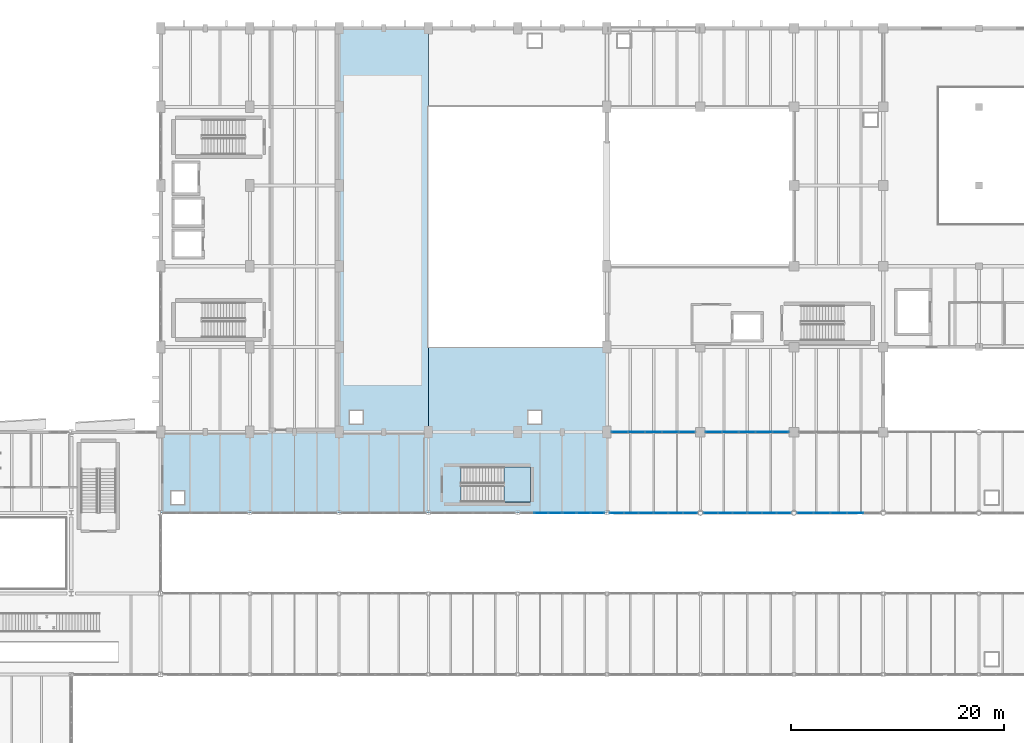
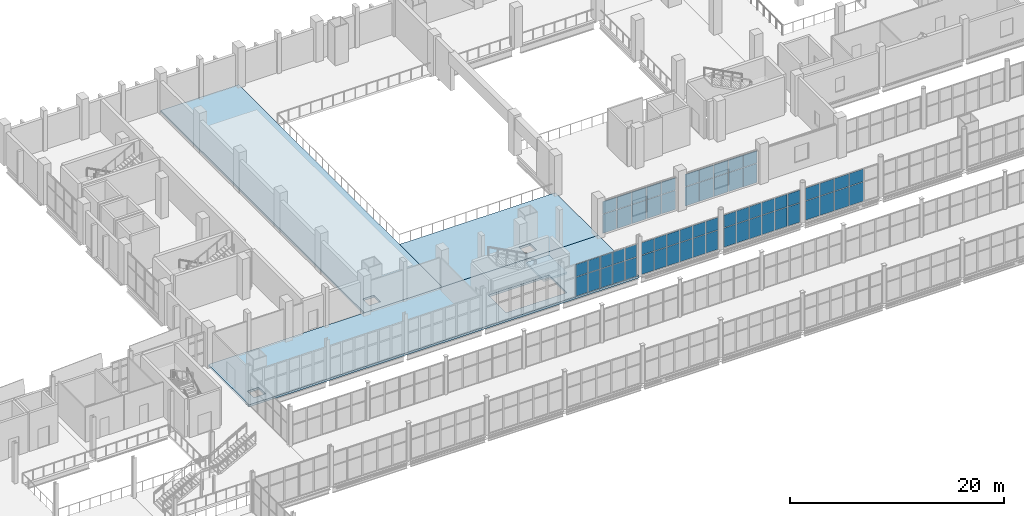
# One storey, part 135 of 172: 62 plates, 4 slabs, 8 elements without a shape of their own.
"""IFC4 building model written with IfcOpenShell, lengths in metres."""

from ifc_helpers import new_model, si_unit, direction, frame, origin, origin_2d, place, context, subcontext, project, spatial, polyline, rectangle, outline, extrude, material, layer, layer_set, type_object, element, aggregate, save


model = new_model("IFC4")

# Units and contexts
model_context = context("Model", 3, precision=1e-05, world=origin(), true_north=direction((0.0, 1.0)))
body_context = subcontext(model_context, "Body", "Model", "MODEL_VIEW")
ifc_project = project(units=[si_unit("LENGTHUNIT", "METRE"), si_unit("AREAUNIT", "SQUARE_METRE"), si_unit("VOLUMEUNIT", "CUBIC_METRE"), si_unit("PLANEANGLEUNIT", "RADIAN"), si_unit("MASSUNIT", "GRAM", prefix="KILO")], contexts=[model_context])

# Site, building, storey
site_placement = place(None, origin())
site = spatial("IfcSite", under=ifc_project, at=site_placement, CompositionType="ELEMENT")
building_placement = place(site_placement, origin())
building = spatial("IfcBuilding", under=site, at=building_placement, Name="Shengluoqiao Park Theatre", CompositionType="ELEMENT")
storey_placement = place(building_placement, frame((0.0, 0.0, 5.39990234375)))
storey = spatial("IfcBuildingStorey", under=building, at=storey_placement, Name="L01", CompositionType="ELEMENT", Elevation=5.39990234375)

# Curtain wall, plates
ifc_material_1 = material(Name="Aluminium 6063-T6", Category="aluminium")
curtain_wall_type_1 = type_object("IfcCurtainWallType", Name="ENV-CW-PROM", PredefinedType="NOTDEFINED", material=ifc_material_1)
curtain_wall_1_placement = place(storey_placement, origin())
curtain_wall_1 = element("IfcCurtainWall", 1, at=curtain_wall_1_placement, inside=storey, type_object=curtain_wall_type_1, Name="L01 Curtain Wall CW-L01-0059", PredefinedType="NOTDEFINED")
ifc_material_2 = material(Name="Insulated glass", Category="glass")
ifc_layer_1 = layer(ifc_material_2, 0.0380859375, Name="Insulated glass")
ifc_layer_set_1 = layer_set([ifc_layer_1], Name="Insulated glass")
plate_type = type_object("IfcPlateType", Name="ENV-GLZ-GL-38", PredefinedType="CURTAIN_PANEL", material=ifc_layer_set_1)
plate_1_placement = place(storey_placement, frame((80.201904296875, 68.39990234375, 0.065185546875), z_axis=(0.0, 0.0, 1.0), x_axis=(1.0, 0.0, 0.0)))
plate_1 = element("IfcPlate", 2, at=plate_1_placement, type_object=plate_type, Name="CW-04 panel 2.1", PredefinedType="CURTAIN_PANEL", context=body_context, shape_type="SweptSolid", body=[
    extrude(rectangle(XDim=1.26708984375, YDim=0.0380859375, at=origin_2d()), origin(), (0.0, 0.0, 1.0), 2.1474609375),
])
plate_2_placement = place(storey_placement, frame((80.201904296875, 68.39990234375, 2.277587890625), z_axis=(0.0, 0.0, 1.0), x_axis=(1.0, 0.0, 0.0)))
plate_2 = element("IfcPlate", 3, at=plate_2_placement, type_object=plate_type, Name="CW-04 panel 2.2", PredefinedType="CURTAIN_PANEL", context=body_context, shape_type="SweptSolid", body=[
    extrude(rectangle(XDim=1.26708984375, YDim=0.0380859375, at=origin_2d()), origin(), (0.0, 0.0, 1.0), 1.3994140625),
])
plate_3_placement = place(storey_placement, frame((81.517822265625, 68.39990234375, 0.065185546875), z_axis=(0.0, 0.0, 1.0), x_axis=(1.0, 0.0, 0.0)))
plate_3 = element("IfcPlate", 4, at=plate_3_placement, type_object=plate_type, Name="CW-04 panel 3.1", PredefinedType="CURTAIN_PANEL", context=body_context, shape_type="SweptSolid", body=[
    extrude(rectangle(XDim=1.234619140625, YDim=0.0380859375, at=origin_2d()), origin(), (0.0, 0.0, 1.0), 2.1474609375),
])
plate_4_placement = place(storey_placement, frame((81.517822265625, 68.39990234375, 2.277587890625), z_axis=(0.0, 0.0, 1.0), x_axis=(1.0, 0.0, 0.0)))
plate_4 = element("IfcPlate", 5, at=plate_4_placement, type_object=plate_type, Name="CW-04 panel 3.2", PredefinedType="CURTAIN_PANEL", context=body_context, shape_type="SweptSolid", body=[
    extrude(rectangle(XDim=1.234619140625, YDim=0.0380859375, at=origin_2d()), origin(), (0.0, 0.0, 1.0), 1.3994140625),
])
aggregate(curtain_wall_1, [plate_1, plate_2, plate_3, plate_4])

curtain_wall_2_placement = place(storey_placement, origin())
curtain_wall_2 = element("IfcCurtainWall", 6, at=curtain_wall_2_placement, inside=storey, type_object=curtain_wall_type_1, Name="L01 Curtain Wall CW-L01-0060", PredefinedType="NOTDEFINED")
plate_5_placement = place(storey_placement, frame((82.88232421875, 68.39990234375, 0.065185546875), z_axis=(0.0, 0.0, 1.0), x_axis=(1.0, 0.0, 0.0)))
plate_5 = element("IfcPlate", 7, at=plate_5_placement, type_object=plate_type, Name="CW-04 panel 1.1", PredefinedType="CURTAIN_PANEL", context=body_context, shape_type="SweptSolid", body=[
    extrude(rectangle(XDim=1.234619140625, YDim=0.0380859375, at=origin_2d()), origin(), (0.0, 0.0, 1.0), 2.1474609375),
])
plate_6_placement = place(storey_placement, frame((82.88232421875, 68.39990234375, 2.277587890625), z_axis=(0.0, 0.0, 1.0), x_axis=(1.0, 0.0, 0.0)))
plate_6 = element("IfcPlate", 8, at=plate_6_placement, type_object=plate_type, Name="CW-04 panel 1.2", PredefinedType="CURTAIN_PANEL", context=body_context, shape_type="SweptSolid", body=[
    extrude(rectangle(XDim=1.234619140625, YDim=0.0380859375, at=origin_2d()), origin(), (0.0, 0.0, 1.0), 1.3994140625),
])
plate_7_placement = place(storey_placement, frame((84.197998046875, 68.39990234375, 0.065185546875), z_axis=(0.0, 0.0, 1.0), x_axis=(1.0, 0.0, 0.0)))
plate_7 = element("IfcPlate", 9, at=plate_7_placement, type_object=plate_type, Name="CW-04 panel 2.1", PredefinedType="CURTAIN_PANEL", context=body_context, shape_type="SweptSolid", body=[
    extrude(rectangle(XDim=1.26708984375, YDim=0.0380859375, at=origin_2d()), origin(), (0.0, 0.0, 1.0), 2.1474609375),
])
plate_8_placement = place(storey_placement, frame((84.197998046875, 68.39990234375, 2.277587890625), z_axis=(0.0, 0.0, 1.0), x_axis=(1.0, 0.0, 0.0)))
plate_8 = element("IfcPlate", 10, at=plate_8_placement, type_object=plate_type, Name="CW-04 panel 2.2", PredefinedType="CURTAIN_PANEL", context=body_context, shape_type="SweptSolid", body=[
    extrude(rectangle(XDim=1.26708984375, YDim=0.0380859375, at=origin_2d()), origin(), (0.0, 0.0, 1.0), 1.3994140625),
])
plate_9_placement = place(storey_placement, frame((85.513671875, 68.39990234375, 0.065185546875), z_axis=(0.0, 0.0, 1.0), x_axis=(1.0, 0.0, 0.0)))
plate_9 = element("IfcPlate", 11, at=plate_9_placement, type_object=plate_type, Name="CW-04 panel 3.1", PredefinedType="CURTAIN_PANEL", context=body_context, shape_type="SweptSolid", body=[
    extrude(rectangle(XDim=1.234619140625, YDim=0.0380859375, at=origin_2d()), origin(), (0.0, 0.0, 1.0), 2.1474609375),
])
plate_10_placement = place(storey_placement, frame((85.513671875, 68.39990234375, 2.277587890625), z_axis=(0.0, 0.0, 1.0), x_axis=(1.0, 0.0, 0.0)))
plate_10 = element("IfcPlate", 12, at=plate_10_placement, type_object=plate_type, Name="CW-04 panel 3.2", PredefinedType="CURTAIN_PANEL", context=body_context, shape_type="SweptSolid", body=[
    extrude(rectangle(XDim=1.234619140625, YDim=0.0380859375, at=origin_2d()), origin(), (0.0, 0.0, 1.0), 1.3994140625),
])
aggregate(curtain_wall_2, [plate_5, plate_6, plate_7, plate_8, plate_9, plate_10])

curtain_wall_type_2 = type_object("IfcCurtainWallType", Name="ENV-CW-BRIDGE", PredefinedType="NOTDEFINED", material=ifc_material_1)
curtain_wall_3_placement = place(storey_placement, origin())
curtain_wall_3 = element("IfcCurtainWall", 13, at=curtain_wall_3_placement, inside=storey, type_object=curtain_wall_type_2, Name="L01 Curtain Wall CWX-L01-0091", PredefinedType="NOTDEFINED")
plate_11_placement = place(storey_placement, frame((87.313720703125, 68.39990234375, 0.06005859375), z_axis=(0.0, 0.0, 1.0), x_axis=(1.0, 0.0, 0.0)))
plate_11 = element("IfcPlate", 14, at=plate_11_placement, type_object=plate_type, Name="CW-03 panel 1.1", PredefinedType="CURTAIN_PANEL", context=body_context, shape_type="SweptSolid", body=[
    extrude(rectangle(XDim=1.299560546875, YDim=0.0380859375, at=origin_2d()), origin(), (0.0, 0.0, 1.0), 2.155029296875),
])
plate_12_placement = place(storey_placement, frame((87.313720703125, 68.39990234375, 2.27490234375), z_axis=(0.0, 0.0, 1.0), x_axis=(1.0, 0.0, 0.0)))
plate_12 = element("IfcPlate", 15, at=plate_12_placement, type_object=plate_type, Name="CW-03 panel 1.2", PredefinedType="CURTAIN_PANEL", context=body_context, shape_type="SweptSolid", body=[
    extrude(rectangle(XDim=1.299560546875, YDim=0.0380859375, at=origin_2d()), origin(), (0.0, 0.0, 1.0), 1.406982421875),
])
plate_13_placement = place(storey_placement, frame((88.6884765625, 68.39990234375, 0.06005859375), z_axis=(0.0, 0.0, 1.0), x_axis=(1.0, 0.0, 0.0)))
plate_13 = element("IfcPlate", 16, at=plate_13_placement, type_object=plate_type, Name="CW-03 panel 2.1", PredefinedType="CURTAIN_PANEL", context=body_context, shape_type="SweptSolid", body=[
    extrude(rectangle(XDim=1.32958984375, YDim=0.0380859375, at=origin_2d()), origin(), (0.0, 0.0, 1.0), 2.155029296875),
])
plate_14_placement = place(storey_placement, frame((88.6884765625, 68.39990234375, 2.27490234375), z_axis=(0.0, 0.0, 1.0), x_axis=(1.0, 0.0, 0.0)))
plate_14 = element("IfcPlate", 17, at=plate_14_placement, type_object=plate_type, Name="CW-03 panel 2.2", PredefinedType="CURTAIN_PANEL", context=body_context, shape_type="SweptSolid", body=[
    extrude(rectangle(XDim=1.32958984375, YDim=0.0380859375, at=origin_2d()), origin(), (0.0, 0.0, 1.0), 1.406982421875),
])
plate_15_placement = place(storey_placement, frame((90.078125, 68.39990234375, 0.06005859375), z_axis=(0.0, 0.0, 1.0), x_axis=(1.0, 0.0, 0.0)))
plate_15 = element("IfcPlate", 18, at=plate_15_placement, type_object=plate_type, Name="CW-03 panel 3.1", PredefinedType="CURTAIN_PANEL", context=body_context, shape_type="SweptSolid", body=[
    extrude(rectangle(XDim=1.32958984375, YDim=0.0380859375, at=origin_2d()), origin(), (0.0, 0.0, 1.0), 2.155029296875),
])
plate_16_placement = place(storey_placement, frame((90.078125, 68.39990234375, 2.27490234375), z_axis=(0.0, 0.0, 1.0), x_axis=(1.0, 0.0, 0.0)))
plate_16 = element("IfcPlate", 19, at=plate_16_placement, type_object=plate_type, Name="CW-03 panel 3.2", PredefinedType="CURTAIN_PANEL", context=body_context, shape_type="SweptSolid", body=[
    extrude(rectangle(XDim=1.32958984375, YDim=0.0380859375, at=origin_2d()), origin(), (0.0, 0.0, 1.0), 1.406982421875),
])
plate_17_placement = place(storey_placement, frame((91.4677734375, 68.39990234375, 0.06005859375), z_axis=(0.0, 0.0, 1.0), x_axis=(1.0, 0.0, 0.0)))
plate_17 = element("IfcPlate", 20, at=plate_17_placement, type_object=plate_type, Name="CW-03 panel 4.1", PredefinedType="CURTAIN_PANEL", context=body_context, shape_type="SweptSolid", body=[
    extrude(rectangle(XDim=1.32958984375, YDim=0.0380859375, at=origin_2d()), origin(), (0.0, 0.0, 1.0), 2.155029296875),
])
plate_18_placement = place(storey_placement, frame((91.4677734375, 68.39990234375, 2.27490234375), z_axis=(0.0, 0.0, 1.0), x_axis=(1.0, 0.0, 0.0)))
plate_18 = element("IfcPlate", 21, at=plate_18_placement, type_object=plate_type, Name="CW-03 panel 4.2", PredefinedType="CURTAIN_PANEL", context=body_context, shape_type="SweptSolid", body=[
    extrude(rectangle(XDim=1.32958984375, YDim=0.0380859375, at=origin_2d()), origin(), (0.0, 0.0, 1.0), 1.406982421875),
])
plate_19_placement = place(storey_placement, frame((92.857421875, 68.39990234375, 0.06005859375), z_axis=(0.0, 0.0, 1.0), x_axis=(1.0, 0.0, 0.0)))
plate_19 = element("IfcPlate", 22, at=plate_19_placement, type_object=plate_type, Name="CW-03 panel 5.1", PredefinedType="CURTAIN_PANEL", context=body_context, shape_type="SweptSolid", body=[
    extrude(rectangle(XDim=1.32958984375, YDim=0.0380859375, at=origin_2d()), origin(), (0.0, 0.0, 1.0), 2.155029296875),
])
plate_20_placement = place(storey_placement, frame((92.857421875, 68.39990234375, 2.27490234375), z_axis=(0.0, 0.0, 1.0), x_axis=(1.0, 0.0, 0.0)))
plate_20 = element("IfcPlate", 23, at=plate_20_placement, type_object=plate_type, Name="CW-03 panel 5.2", PredefinedType="CURTAIN_PANEL", context=body_context, shape_type="SweptSolid", body=[
    extrude(rectangle(XDim=1.32958984375, YDim=0.0380859375, at=origin_2d()), origin(), (0.0, 0.0, 1.0), 1.406982421875),
])
plate_21_placement = place(storey_placement, frame((94.232177734375, 68.39990234375, 0.06005859375), z_axis=(0.0, 0.0, 1.0), x_axis=(1.0, 0.0, 0.0)))
plate_21 = element("IfcPlate", 24, at=plate_21_placement, type_object=plate_type, Name="CW-03 panel 6.1", PredefinedType="CURTAIN_PANEL", context=body_context, shape_type="SweptSolid", body=[
    extrude(rectangle(XDim=1.299560546875, YDim=0.0380859375, at=origin_2d()), origin(), (0.0, 0.0, 1.0), 2.155029296875),
])
plate_22_placement = place(storey_placement, frame((94.232177734375, 68.39990234375, 2.27490234375), z_axis=(0.0, 0.0, 1.0), x_axis=(1.0, 0.0, 0.0)))
plate_22 = element("IfcPlate", 25, at=plate_22_placement, type_object=plate_type, Name="CW-03 panel 6.2", PredefinedType="CURTAIN_PANEL", context=body_context, shape_type="SweptSolid", body=[
    extrude(rectangle(XDim=1.299560546875, YDim=0.0380859375, at=origin_2d()), origin(), (0.0, 0.0, 1.0), 1.406982421875),
])
aggregate(curtain_wall_3, [plate_11, plate_12, plate_13, plate_14, plate_15, plate_16, plate_17, plate_18, plate_19, plate_20, plate_21, plate_22])

curtain_wall_4_placement = place(storey_placement, origin())
curtain_wall_4 = element("IfcCurtainWall", 26, at=curtain_wall_4_placement, inside=storey, type_object=curtain_wall_type_2, Name="L01 Curtain Wall CWX-L01-0092", PredefinedType="NOTDEFINED")
plate_23_placement = place(storey_placement, frame((96.163330078125, 68.39990234375, 0.06005859375), z_axis=(0.0, 0.0, 1.0), x_axis=(1.0, 0.0, 0.0)))
plate_23 = element("IfcPlate", 27, at=plate_23_placement, type_object=plate_type, Name="CW-03 panel 1.1", PredefinedType="CURTAIN_PANEL", context=body_context, shape_type="SweptSolid", body=[
    extrude(rectangle(XDim=1.290771484375, YDim=0.0380859375, at=origin_2d()), origin(), (0.0, 0.0, 1.0), 2.173095703125),
])
plate_24_placement = place(storey_placement, frame((96.163330078125, 68.39990234375, 2.293212890625), z_axis=(0.0, 0.0, 1.0), x_axis=(1.0, 0.0, 0.0)))
plate_24 = element("IfcPlate", 28, at=plate_24_placement, type_object=plate_type, Name="CW-03 panel 1.2", PredefinedType="CURTAIN_PANEL", context=body_context, shape_type="SweptSolid", body=[
    extrude(rectangle(XDim=1.290771484375, YDim=0.0380859375, at=origin_2d()), origin(), (0.0, 0.0, 1.0), 1.4189453125),
])
plate_25_placement = place(storey_placement, frame((97.529052734375, 68.39990234375, 0.06005859375), z_axis=(0.0, 0.0, 1.0), x_axis=(1.0, 0.0, 0.0)))
plate_25 = element("IfcPlate", 29, at=plate_25_placement, type_object=plate_type, Name="CW-03 panel 2.1", PredefinedType="CURTAIN_PANEL", context=body_context, shape_type="SweptSolid", body=[
    extrude(rectangle(XDim=1.320556640625, YDim=0.0380859375, at=origin_2d()), origin(), (0.0, 0.0, 1.0), 2.173095703125),
])
plate_26_placement = place(storey_placement, frame((97.529052734375, 68.39990234375, 2.293212890625), z_axis=(0.0, 0.0, 1.0), x_axis=(1.0, 0.0, 0.0)))
plate_26 = element("IfcPlate", 30, at=plate_26_placement, type_object=plate_type, Name="CW-03 panel 2.2", PredefinedType="CURTAIN_PANEL", context=body_context, shape_type="SweptSolid", body=[
    extrude(rectangle(XDim=1.320556640625, YDim=0.0380859375, at=origin_2d()), origin(), (0.0, 0.0, 1.0), 1.4189453125),
])
plate_27_placement = place(storey_placement, frame((98.90966796875, 68.39990234375, 0.06005859375), z_axis=(0.0, 0.0, 1.0), x_axis=(1.0, 0.0, 0.0)))
plate_27 = element("IfcPlate", 31, at=plate_27_placement, type_object=plate_type, Name="CW-03 panel 3.1", PredefinedType="CURTAIN_PANEL", context=body_context, shape_type="SweptSolid", body=[
    extrude(rectangle(XDim=1.320556640625, YDim=0.0380859375, at=origin_2d()), origin(), (0.0, 0.0, 1.0), 2.173095703125),
])
plate_28_placement = place(storey_placement, frame((98.90966796875, 68.39990234375, 2.293212890625), z_axis=(0.0, 0.0, 1.0), x_axis=(1.0, 0.0, 0.0)))
plate_28 = element("IfcPlate", 32, at=plate_28_placement, type_object=plate_type, Name="CW-03 panel 3.2", PredefinedType="CURTAIN_PANEL", context=body_context, shape_type="SweptSolid", body=[
    extrude(rectangle(XDim=1.320556640625, YDim=0.0380859375, at=origin_2d()), origin(), (0.0, 0.0, 1.0), 1.4189453125),
])
plate_29_placement = place(storey_placement, frame((100.290283203125, 68.39990234375, 0.06005859375), z_axis=(0.0, 0.0, 1.0), x_axis=(1.0, 0.0, 0.0)))
plate_29 = element("IfcPlate", 33, at=plate_29_placement, type_object=plate_type, Name="CW-03 panel 4.1", PredefinedType="CURTAIN_PANEL", context=body_context, shape_type="SweptSolid", body=[
    extrude(rectangle(XDim=1.320556640625, YDim=0.0380859375, at=origin_2d()), origin(), (0.0, 0.0, 1.0), 2.173095703125),
])
plate_30_placement = place(storey_placement, frame((100.290283203125, 68.39990234375, 2.293212890625), z_axis=(0.0, 0.0, 1.0), x_axis=(1.0, 0.0, 0.0)))
plate_30 = element("IfcPlate", 34, at=plate_30_placement, type_object=plate_type, Name="CW-03 panel 4.2", PredefinedType="CURTAIN_PANEL", context=body_context, shape_type="SweptSolid", body=[
    extrude(rectangle(XDim=1.320556640625, YDim=0.0380859375, at=origin_2d()), origin(), (0.0, 0.0, 1.0), 1.4189453125),
])
plate_31_placement = place(storey_placement, frame((101.6708984375, 68.39990234375, 0.06005859375), z_axis=(0.0, 0.0, 1.0), x_axis=(1.0, 0.0, 0.0)))
plate_31 = element("IfcPlate", 35, at=plate_31_placement, type_object=plate_type, Name="CW-03 panel 5.1", PredefinedType="CURTAIN_PANEL", context=body_context, shape_type="SweptSolid", body=[
    extrude(rectangle(XDim=1.320556640625, YDim=0.0380859375, at=origin_2d()), origin(), (0.0, 0.0, 1.0), 2.173095703125),
])
plate_32_placement = place(storey_placement, frame((101.6708984375, 68.39990234375, 2.293212890625), z_axis=(0.0, 0.0, 1.0), x_axis=(1.0, 0.0, 0.0)))
plate_32 = element("IfcPlate", 36, at=plate_32_placement, type_object=plate_type, Name="CW-03 panel 5.2", PredefinedType="CURTAIN_PANEL", context=body_context, shape_type="SweptSolid", body=[
    extrude(rectangle(XDim=1.320556640625, YDim=0.0380859375, at=origin_2d()), origin(), (0.0, 0.0, 1.0), 1.4189453125),
])
plate_33_placement = place(storey_placement, frame((103.03662109375, 68.39990234375, 0.06005859375), z_axis=(0.0, 0.0, 1.0), x_axis=(1.0, 0.0, 0.0)))
plate_33 = element("IfcPlate", 37, at=plate_33_placement, type_object=plate_type, Name="CW-03 panel 6.1", PredefinedType="CURTAIN_PANEL", context=body_context, shape_type="SweptSolid", body=[
    extrude(rectangle(XDim=1.290771484375, YDim=0.0380859375, at=origin_2d()), origin(), (0.0, 0.0, 1.0), 2.173095703125),
])
plate_34_placement = place(storey_placement, frame((103.03662109375, 68.39990234375, 2.293212890625), z_axis=(0.0, 0.0, 1.0), x_axis=(1.0, 0.0, 0.0)))
plate_34 = element("IfcPlate", 38, at=plate_34_placement, type_object=plate_type, Name="CW-03 panel 6.2", PredefinedType="CURTAIN_PANEL", context=body_context, shape_type="SweptSolid", body=[
    extrude(rectangle(XDim=1.290771484375, YDim=0.0380859375, at=origin_2d()), origin(), (0.0, 0.0, 1.0), 1.4189453125),
])
aggregate(curtain_wall_4, [plate_23, plate_24, plate_25, plate_26, plate_27, plate_28, plate_29, plate_30, plate_31, plate_32, plate_33, plate_34])

curtain_wall_5_placement = place(storey_placement, origin())
curtain_wall_5 = element("IfcCurtainWall", 39, at=curtain_wall_5_placement, inside=storey, type_object=curtain_wall_type_2, Name="L01 Curtain Wall CWX-L01-0093", PredefinedType="NOTDEFINED")
plate_35_placement = place(storey_placement, frame((105.061279296875, 68.39990234375, 0.06005859375), z_axis=(0.0, 0.0, 1.0), x_axis=(1.0, 0.0, 0.0)))
plate_35 = element("IfcPlate", 40, at=plate_35_placement, type_object=plate_type, Name="CW-03 panel 1.1", PredefinedType="CURTAIN_PANEL", context=body_context, shape_type="SweptSolid", body=[
    extrude(rectangle(XDim=1.48681640625, YDim=0.0380859375, at=origin_2d()), origin(), (0.0, 0.0, 1.0), 2.173095703125),
])
plate_36_placement = place(storey_placement, frame((105.061279296875, 68.39990234375, 2.293212890625), z_axis=(0.0, 0.0, 1.0), x_axis=(1.0, 0.0, 0.0)))
plate_36 = element("IfcPlate", 41, at=plate_36_placement, type_object=plate_type, Name="CW-03 panel 1.2", PredefinedType="CURTAIN_PANEL", context=body_context, shape_type="SweptSolid", body=[
    extrude(rectangle(XDim=1.48681640625, YDim=0.0380859375, at=origin_2d()), origin(), (0.0, 0.0, 1.0), 1.4189453125),
])
plate_37_placement = place(storey_placement, frame((106.623291015625, 68.39990234375, 0.06005859375), z_axis=(0.0, 0.0, 1.0), x_axis=(1.0, 0.0, 0.0)))
plate_37 = element("IfcPlate", 42, at=plate_37_placement, type_object=plate_type, Name="CW-03 panel 2.1", PredefinedType="CURTAIN_PANEL", context=body_context, shape_type="SweptSolid", body=[
    extrude(rectangle(XDim=1.516845703125, YDim=0.0380859375, at=origin_2d()), origin(), (0.0, 0.0, 1.0), 2.173095703125),
])
plate_38_placement = place(storey_placement, frame((106.623291015625, 68.39990234375, 2.293212890625), z_axis=(0.0, 0.0, 1.0), x_axis=(1.0, 0.0, 0.0)))
plate_38 = element("IfcPlate", 43, at=plate_38_placement, type_object=plate_type, Name="CW-03 panel 2.2", PredefinedType="CURTAIN_PANEL", context=body_context, shape_type="SweptSolid", body=[
    extrude(rectangle(XDim=1.516845703125, YDim=0.0380859375, at=origin_2d()), origin(), (0.0, 0.0, 1.0), 1.4189453125),
])
plate_39_placement = place(storey_placement, frame((108.199951171875, 68.39990234375, 0.06005859375), z_axis=(0.0, 0.0, 1.0), x_axis=(1.0, 0.0, 0.0)))
plate_39 = element("IfcPlate", 44, at=plate_39_placement, type_object=plate_type, Name="CW-03 panel 3.1", PredefinedType="CURTAIN_PANEL", context=body_context, shape_type="SweptSolid", body=[
    extrude(rectangle(XDim=1.516845703125, YDim=0.0380859375, at=origin_2d()), origin(), (0.0, 0.0, 1.0), 2.173095703125),
])
plate_40_placement = place(storey_placement, frame((108.199951171875, 68.39990234375, 2.293212890625), z_axis=(0.0, 0.0, 1.0), x_axis=(1.0, 0.0, 0.0)))
plate_40 = element("IfcPlate", 45, at=plate_40_placement, type_object=plate_type, Name="CW-03 panel 3.2", PredefinedType="CURTAIN_PANEL", context=body_context, shape_type="SweptSolid", body=[
    extrude(rectangle(XDim=1.516845703125, YDim=0.0380859375, at=origin_2d()), origin(), (0.0, 0.0, 1.0), 1.4189453125),
])
plate_41_placement = place(storey_placement, frame((109.77685546875, 68.39990234375, 0.06005859375), z_axis=(0.0, 0.0, 1.0), x_axis=(1.0, 0.0, 0.0)))
plate_41 = element("IfcPlate", 46, at=plate_41_placement, type_object=plate_type, Name="CW-03 panel 4.1", PredefinedType="CURTAIN_PANEL", context=body_context, shape_type="SweptSolid", body=[
    extrude(rectangle(XDim=1.516845703125, YDim=0.0380859375, at=origin_2d()), origin(), (0.0, 0.0, 1.0), 2.173095703125),
])
plate_42_placement = place(storey_placement, frame((109.77685546875, 68.39990234375, 2.293212890625), z_axis=(0.0, 0.0, 1.0), x_axis=(1.0, 0.0, 0.0)))
plate_42 = element("IfcPlate", 47, at=plate_42_placement, type_object=plate_type, Name="CW-03 panel 4.2", PredefinedType="CURTAIN_PANEL", context=body_context, shape_type="SweptSolid", body=[
    extrude(rectangle(XDim=1.516845703125, YDim=0.0380859375, at=origin_2d()), origin(), (0.0, 0.0, 1.0), 1.4189453125),
])
aggregate(curtain_wall_5, [plate_35, plate_36, plate_37, plate_38, plate_39, plate_40, plate_41, plate_42])

curtain_wall_6_placement = place(storey_placement, origin())
curtain_wall_6 = element("IfcCurtainWall", 48, at=curtain_wall_6_placement, inside=storey, type_object=curtain_wall_type_2, Name="L01 Curtain Wall CWX-L01-0099", PredefinedType="NOTDEFINED")
plate_43_placement = place(storey_placement, frame((87.61328125, 76.0, 0.06005859375), z_axis=(0.0, 0.0, 1.0), x_axis=(1.0, 0.0, 0.0)))
plate_43 = element("IfcPlate", 49, at=plate_43_placement, type_object=plate_type, Name="CW-03 panel 1.1", PredefinedType="CURTAIN_PANEL", context=body_context, shape_type="SweptSolid", body=[
    extrude(rectangle(XDim=1.498291015625, YDim=0.0380859375, at=origin_2d()), origin(), (0.0, 0.0, 1.0), 2.14892578125),
])
plate_44_placement = place(storey_placement, frame((87.61328125, 76.0, 2.26904296875), z_axis=(0.0, 0.0, 1.0), x_axis=(1.0, 0.0, 0.0)))
plate_44 = element("IfcPlate", 50, at=plate_44_placement, type_object=plate_type, Name="CW-03 panel 1.2", PredefinedType="CURTAIN_PANEL", context=body_context, shape_type="SweptSolid", body=[
    extrude(rectangle(XDim=1.498291015625, YDim=0.0380859375, at=origin_2d()), origin(), (0.0, 0.0, 1.0), 1.403076171875),
])
plate_45_placement = place(storey_placement, frame((89.1865234375, 76.0, 0.06005859375), z_axis=(0.0, 0.0, 1.0), x_axis=(1.0, 0.0, 0.0)))
plate_45 = element("IfcPlate", 51, at=plate_45_placement, type_object=plate_type, Name="CW-03 panel 2.1", PredefinedType="CURTAIN_PANEL", context=body_context, shape_type="SweptSolid", body=[
    extrude(rectangle(XDim=1.5283203125, YDim=0.0380859375, at=origin_2d()), origin(), (0.0, 0.0, 1.0), 2.14892578125),
])
plate_46_placement = place(storey_placement, frame((89.1865234375, 76.0, 2.26904296875), z_axis=(0.0, 0.0, 1.0), x_axis=(1.0, 0.0, 0.0)))
plate_46 = element("IfcPlate", 52, at=plate_46_placement, type_object=plate_type, Name="CW-03 panel 2.2", PredefinedType="CURTAIN_PANEL", context=body_context, shape_type="SweptSolid", body=[
    extrude(rectangle(XDim=1.5283203125, YDim=0.0380859375, at=origin_2d()), origin(), (0.0, 0.0, 1.0), 1.403076171875),
])
plate_47_placement = place(storey_placement, frame((90.77490234375, 76.0, 0.06005859375), z_axis=(0.0, 0.0, 1.0), x_axis=(1.0, 0.0, 0.0)))
plate_47 = element("IfcPlate", 53, at=plate_47_placement, type_object=plate_type, Name="CW-03 panel 3.1", PredefinedType="CURTAIN_PANEL", context=body_context, shape_type="SweptSolid", body=[
    extrude(rectangle(XDim=1.5283203125, YDim=0.0380859375, at=origin_2d()), origin(), (0.0, 0.0, 1.0), 2.14892578125),
])
plate_48_placement = place(storey_placement, frame((90.77490234375, 76.0, 2.26904296875), z_axis=(0.0, 0.0, 1.0), x_axis=(1.0, 0.0, 0.0)))
plate_48 = element("IfcPlate", 54, at=plate_48_placement, type_object=plate_type, Name="CW-03 panel 3.2", PredefinedType="CURTAIN_PANEL", context=body_context, shape_type="SweptSolid", body=[
    extrude(rectangle(XDim=1.5283203125, YDim=0.0380859375, at=origin_2d()), origin(), (0.0, 0.0, 1.0), 1.403076171875),
])
plate_49_placement = place(storey_placement, frame((92.36328125, 76.0, 0.06005859375), z_axis=(0.0, 0.0, 1.0), x_axis=(1.0, 0.0, 0.0)))
plate_49 = element("IfcPlate", 55, at=plate_49_placement, type_object=plate_type, Name="CW-03 panel 4.1", PredefinedType="CURTAIN_PANEL", context=body_context, shape_type="SweptSolid", body=[
    extrude(rectangle(XDim=1.5283203125, YDim=0.0380859375, at=origin_2d()), origin(), (0.0, 0.0, 1.0), 2.14892578125),
])
plate_50_placement = place(storey_placement, frame((92.36328125, 76.0, 2.26904296875), z_axis=(0.0, 0.0, 1.0), x_axis=(1.0, 0.0, 0.0)))
plate_50 = element("IfcPlate", 56, at=plate_50_placement, type_object=plate_type, Name="CW-03 panel 4.2", PredefinedType="CURTAIN_PANEL", context=body_context, shape_type="SweptSolid", body=[
    extrude(rectangle(XDim=1.5283203125, YDim=0.0380859375, at=origin_2d()), origin(), (0.0, 0.0, 1.0), 1.403076171875),
])
plate_51_placement = place(storey_placement, frame((93.936767578125, 76.0, 0.06005859375), z_axis=(0.0, 0.0, 1.0), x_axis=(1.0, 0.0, 0.0)))
plate_51 = element("IfcPlate", 57, at=plate_51_placement, type_object=plate_type, Name="CW-03 panel 5.1", PredefinedType="CURTAIN_PANEL", context=body_context, shape_type="SweptSolid", body=[
    extrude(rectangle(XDim=1.498291015625, YDim=0.0380859375, at=origin_2d()), origin(), (0.0, 0.0, 1.0), 2.14892578125),
])
plate_52_placement = place(storey_placement, frame((93.936767578125, 76.0, 2.26904296875), z_axis=(0.0, 0.0, 1.0), x_axis=(1.0, 0.0, 0.0)))
plate_52 = element("IfcPlate", 58, at=plate_52_placement, type_object=plate_type, Name="CW-03 panel 5.2", PredefinedType="CURTAIN_PANEL", context=body_context, shape_type="SweptSolid", body=[
    extrude(rectangle(XDim=1.498291015625, YDim=0.0380859375, at=origin_2d()), origin(), (0.0, 0.0, 1.0), 1.403076171875),
])
aggregate(curtain_wall_6, [plate_43, plate_44, plate_45, plate_46, plate_47, plate_48, plate_49, plate_50, plate_51, plate_52])

curtain_wall_7_placement = place(storey_placement, origin())
curtain_wall_7 = element("IfcCurtainWall", 59, at=curtain_wall_7_placement, inside=storey, type_object=curtain_wall_type_2, Name="L01 Curtain Wall CWX-L01-0100", PredefinedType="NOTDEFINED")
plate_53_placement = place(storey_placement, frame((96.458251953125, 76.0, 0.06005859375), z_axis=(0.0, 0.0, 1.0), x_axis=(1.0, 0.0, 0.0)))
plate_53 = element("IfcPlate", 60, at=plate_53_placement, type_object=plate_type, Name="CW-03 panel 1.1", PredefinedType="CURTAIN_PANEL", context=body_context, shape_type="SweptSolid", body=[
    extrude(rectangle(XDim=1.48828125, YDim=0.0380859375, at=origin_2d()), origin(), (0.0, 0.0, 1.0), 2.14892578125),
])
plate_54_placement = place(storey_placement, frame((96.458251953125, 76.0, 2.26904296875), z_axis=(0.0, 0.0, 1.0), x_axis=(1.0, 0.0, 0.0)))
plate_54 = element("IfcPlate", 61, at=plate_54_placement, type_object=plate_type, Name="CW-03 panel 1.2", PredefinedType="CURTAIN_PANEL", context=body_context, shape_type="SweptSolid", body=[
    extrude(rectangle(XDim=1.48828125, YDim=0.0380859375, at=origin_2d()), origin(), (0.0, 0.0, 1.0), 1.403076171875),
])
plate_55_placement = place(storey_placement, frame((98.021484375, 76.0, 0.06005859375), z_axis=(0.0, 0.0, 1.0), x_axis=(1.0, 0.0, 0.0)))
plate_55 = element("IfcPlate", 62, at=plate_55_placement, type_object=plate_type, Name="CW-03 panel 2.1", PredefinedType="CURTAIN_PANEL", context=body_context, shape_type="SweptSolid", body=[
    extrude(rectangle(XDim=1.518310546875, YDim=0.0380859375, at=origin_2d()), origin(), (0.0, 0.0, 1.0), 2.14892578125),
])
plate_56_placement = place(storey_placement, frame((98.021484375, 76.0, 2.26904296875), z_axis=(0.0, 0.0, 1.0), x_axis=(1.0, 0.0, 0.0)))
plate_56 = element("IfcPlate", 63, at=plate_56_placement, type_object=plate_type, Name="CW-03 panel 2.2", PredefinedType="CURTAIN_PANEL", context=body_context, shape_type="SweptSolid", body=[
    extrude(rectangle(XDim=1.518310546875, YDim=0.0380859375, at=origin_2d()), origin(), (0.0, 0.0, 1.0), 1.403076171875),
])
plate_57_placement = place(storey_placement, frame((99.60009765625, 76.0, 0.06005859375), z_axis=(0.0, 0.0, 1.0), x_axis=(1.0, 0.0, 0.0)))
plate_57 = element("IfcPlate", 64, at=plate_57_placement, type_object=plate_type, Name="CW-03 panel 3.1", PredefinedType="CURTAIN_PANEL", context=body_context, shape_type="SweptSolid", body=[
    extrude(rectangle(XDim=1.518310546875, YDim=0.0380859375, at=origin_2d()), origin(), (0.0, 0.0, 1.0), 2.14892578125),
])
plate_58_placement = place(storey_placement, frame((99.60009765625, 76.0, 2.26904296875), z_axis=(0.0, 0.0, 1.0), x_axis=(1.0, 0.0, 0.0)))
plate_58 = element("IfcPlate", 65, at=plate_58_placement, type_object=plate_type, Name="CW-03 panel 3.2", PredefinedType="CURTAIN_PANEL", context=body_context, shape_type="SweptSolid", body=[
    extrude(rectangle(XDim=1.518310546875, YDim=0.0380859375, at=origin_2d()), origin(), (0.0, 0.0, 1.0), 1.403076171875),
])
plate_59_placement = place(storey_placement, frame((101.178466796875, 76.0, 0.06005859375), z_axis=(0.0, 0.0, 1.0), x_axis=(1.0, 0.0, 0.0)))
plate_59 = element("IfcPlate", 66, at=plate_59_placement, type_object=plate_type, Name="CW-03 panel 4.1", PredefinedType="CURTAIN_PANEL", context=body_context, shape_type="SweptSolid", body=[
    extrude(rectangle(XDim=1.518310546875, YDim=0.0380859375, at=origin_2d()), origin(), (0.0, 0.0, 1.0), 2.14892578125),
])
plate_60_placement = place(storey_placement, frame((101.178466796875, 76.0, 2.26904296875), z_axis=(0.0, 0.0, 1.0), x_axis=(1.0, 0.0, 0.0)))
plate_60 = element("IfcPlate", 67, at=plate_60_placement, type_object=plate_type, Name="CW-03 panel 4.2", PredefinedType="CURTAIN_PANEL", context=body_context, shape_type="SweptSolid", body=[
    extrude(rectangle(XDim=1.518310546875, YDim=0.0380859375, at=origin_2d()), origin(), (0.0, 0.0, 1.0), 1.403076171875),
])
plate_61_placement = place(storey_placement, frame((102.74169921875, 76.0, 0.06005859375), z_axis=(0.0, 0.0, 1.0), x_axis=(1.0, 0.0, 0.0)))
plate_61 = element("IfcPlate", 68, at=plate_61_placement, type_object=plate_type, Name="CW-03 panel 5.1", PredefinedType="CURTAIN_PANEL", context=body_context, shape_type="SweptSolid", body=[
    extrude(rectangle(XDim=1.48828125, YDim=0.0380859375, at=origin_2d()), origin(), (0.0, 0.0, 1.0), 2.14892578125),
])
plate_62_placement = place(storey_placement, frame((102.74169921875, 76.0, 2.26904296875), z_axis=(0.0, 0.0, 1.0), x_axis=(1.0, 0.0, 0.0)))
plate_62 = element("IfcPlate", 69, at=plate_62_placement, type_object=plate_type, Name="CW-03 panel 5.2", PredefinedType="CURTAIN_PANEL", context=body_context, shape_type="SweptSolid", body=[
    extrude(rectangle(XDim=1.48828125, YDim=0.0380859375, at=origin_2d()), origin(), (0.0, 0.0, 1.0), 1.403076171875),
])
aggregate(curtain_wall_7, [plate_53, plate_54, plate_55, plate_56, plate_57, plate_58, plate_59, plate_60, plate_61, plate_62])

# Stair, slab
ifc_material_3 = material(Name="Concrete C40", Category="concrete")
stair_type = type_object("IfcStairType", Name="INT-STR-CORE", PredefinedType="HALF_TURN_STAIR", material=ifc_material_3)
stair_placement = place(storey_placement, origin())
stair = element("IfcStair", 70, at=stair_placement, inside=storey, type_object=stair_type, Name="L01 South Promenade Escape Stair 11", PredefinedType="HALF_TURN_STAIR")
ifc_layer_2 = layer(ifc_material_3, 0.169921875, Name="Concrete C40")
ifc_layer_set_2 = layer_set([ifc_layer_2], Name="Concrete C40")
slab_type_1 = type_object("IfcSlabType", Name="INT-LND-SL-170", PredefinedType="LANDING", material=ifc_layer_set_2)
slab_1_placement = place(storey_placement, frame((0.0, 0.0, 2.10009765625)))
slab_1 = element("IfcSlab", 71, at=slab_1_placement, type_object=slab_type_1, Name="ST-11 landing 1", PredefinedType="LANDING", context=body_context, shape_type="SweptSolid", body=[
    extrude(outline(polyline([(76.7099609375, 69.39990234375), (79.199951171875, 69.39990234375), (79.199951171875, 72.699951171875), (76.7099609375, 72.699951171875), (76.7099609375, 69.39990234375)])), origin(), (0.0, 0.0, 1.0), 0.199951171875),
])
aggregate(stair, [slab_1])

# Slabs
ifc_material_4 = material(Name="Concrete C35", Category="concrete")
ifc_layer_3 = layer(ifc_material_4, 0.25, Name="Concrete C35")
ifc_layer_set_3 = layer_set([ifc_layer_3], Name="Concrete C35")
slab_type_2 = type_object("IfcSlabType", Name="STR-SLB-CAT250", PredefinedType="FLOOR", material=ifc_layer_set_3)
slab_2_placement = place(storey_placement, frame((0.0, 0.0, -0.25)))
element("IfcSlab", 72, at=slab_2_placement, inside=storey, type_object=slab_type_2, Name="Floor Slab L01-V1-BOXS", PredefinedType="FLOOR", context=body_context, shape_type="SweptSolid", body=[
    extrude(outline(polyline([(69.60009765625, 76.0), (69.60009765625, 84.0), (86.39990234375, 84.0), (86.39990234375, 76.0), (69.60009765625, 76.0)]), holes=[polyline([(80.219970703125, 76.800048828125), (80.219970703125, 78.02001953125), (79.0, 78.02001953125), (79.0, 76.800048828125), (80.219970703125, 76.800048828125)])]), origin(), (0.0, 0.0, 1.0), 0.25),
])
ifc_layer_4 = layer(ifc_material_4, 0.239990234375, Name="Concrete C35")
ifc_layer_set_4 = layer_set([ifc_layer_4], Name="Concrete C35")
slab_type_3 = type_object("IfcSlabType", Name="STR-SLB-FL240", PredefinedType="FLOOR", material=ifc_layer_set_4)
slab_3_placement = place(storey_placement, frame((0.0, 0.0, -0.239990234375)))
element("IfcSlab", 73, at=slab_3_placement, inside=storey, type_object=slab_type_3, Name="Floor Slab L01-V1-BAL2", PredefinedType="FLOOR", context=body_context, shape_type="SweptSolid", body=[
    extrude(outline(polyline([(61.199951171875, 76.0), (61.199951171875, 114.0), (69.60009765625, 114.0), (69.60009765625, 76.0), (61.199951171875, 76.0)]), holes=[polyline([(62.199951171875, 76.800048828125), (63.419921875, 76.800048828125), (63.419921875, 78.02001953125), (62.199951171875, 78.02001953125), (62.199951171875, 76.800048828125)])]), origin(), (0.0, 0.0, 1.0), 0.239990234375),
])
slab_4_placement = place(storey_placement, frame((0.0, 0.0, -0.239990234375)))
element("IfcSlab", 74, at=slab_4_placement, inside=storey, type_object=slab_type_3, Name="Floor Slab L01-V5-PROM", PredefinedType="FLOOR", context=body_context, shape_type="SweptSolid", body=[
    extrude(outline(polyline([(44.39990234375, 68.39990234375), (44.39990234375, 76.0), (86.39990234375, 76.0), (86.39990234375, 68.39990234375), (44.39990234375, 68.39990234375)]), holes=[polyline([(46.6201171875, 69.199951171875), (46.6201171875, 70.419921875), (45.39990234375, 70.419921875), (45.39990234375, 69.199951171875), (46.6201171875, 69.199951171875)]), polyline([(72.654052734375, 69.39990234375), (79.199951171875, 69.39990234375), (79.199951171875, 72.699951171875), (72.654052734375, 72.699951171875), (72.654052734375, 69.39990234375)])]), origin(), (0.0, 0.0, 1.0), 0.239990234375),
])

save(model, "model.ifc")
